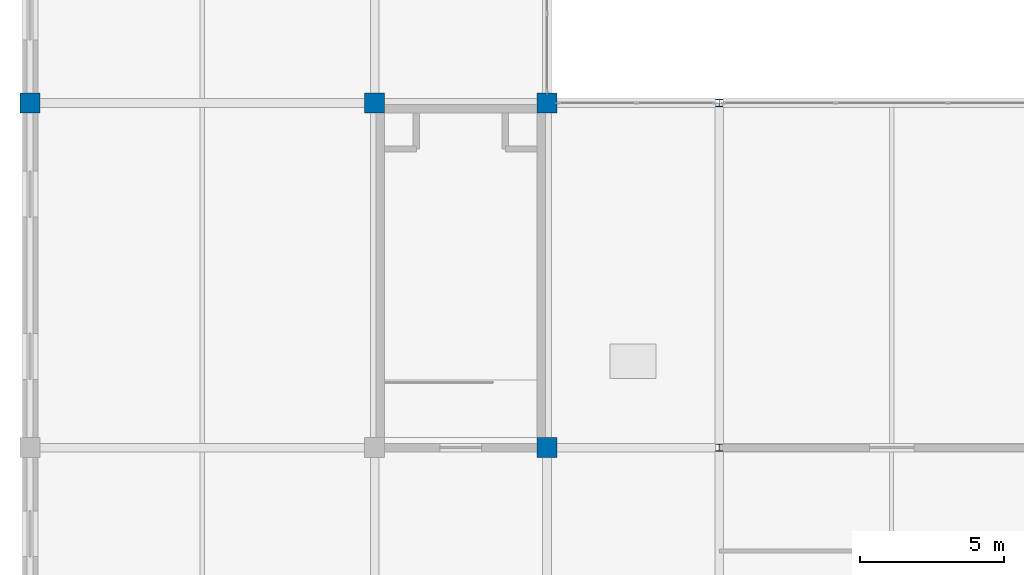
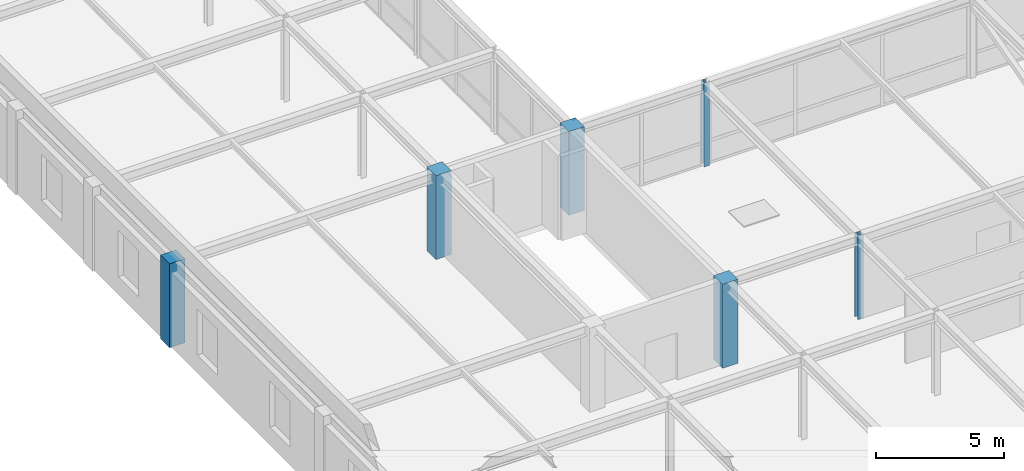
# One storey, part 2 of 111: 6 columns.
"""IFC4 building model written with IfcOpenShell, lengths in metres."""

from ifc_helpers import new_model, si_unit, direction, frame, origin, origin_2d, place, context, subcontext, project, spatial, rectangle, i_section, extrude, material, material_profile, profile_set, type_object, element, save


model = new_model("IFC4")

# Units and contexts
model_context = context("Model", 3, precision=1e-05, world=origin(), true_north=direction((0.0, 1.0)))
body_context = subcontext(model_context, "Body", "Model", "MODEL_VIEW")
ifc_project = project(units=[si_unit("LENGTHUNIT", "METRE"), si_unit("AREAUNIT", "SQUARE_METRE"), si_unit("VOLUMEUNIT", "CUBIC_METRE"), si_unit("PLANEANGLEUNIT", "RADIAN"), si_unit("MASSUNIT", "GRAM", prefix="KILO")], contexts=[model_context])

# Site, building, storey
site_placement = place(None, origin())
site = spatial("IfcSite", under=ifc_project, at=site_placement, CompositionType="ELEMENT")
building_placement = place(site_placement, origin())
building = spatial("IfcBuilding", under=site, at=building_placement, Name="Zlatovratsky Civic Hall", CompositionType="ELEMENT")
storey_placement = place(building_placement, frame((0.0, 0.0, 16.5)))
storey = spatial("IfcBuildingStorey", under=building, at=storey_placement, Name="L04", CompositionType="ELEMENT", Elevation=16.5)

# Columns
ifc_material_1 = material(Name="Concrete C35/45 (B40)", Category="concrete")
ifc_material_profile_1 = material_profile(ifc_material_1, rectangle(XDim=0.699951171875, YDim=0.699951171875, at=origin_2d()), Name="RC 700x700")
ifc_profile_set_1 = profile_set([ifc_material_profile_1], Name="Concrete C35/45 (B40)")
column_type_1 = type_object("IfcColumnType", Name="Col_CorePier_RC700", PredefinedType="COLUMN", material=ifc_profile_set_1)
for number, where, z_axis, x_axis, name in (
    (1, (18.0, 18.0, 0.0), (0.0, 0.0, 1.0), (1.0, 0.0, 0.0), "CL-1590"),
    (2, (0.0, 30.0, 0.0), (0.0, 0.0, 1.0), (1.0, 0.0, 0.0), "CL-1611"),
    (3, (12.0, 30.0, 0.0), (0.0, 0.0, 1.0), (1.0, 0.0, 0.0), "CL-1612"),
    (4, (18.0, 30.0, 0.0), (0.0, 0.0, 1.0), (1.0, 0.0, 0.0), "CL-1613"),
):
    element("IfcColumn", number, at=place(storey_placement, frame(where, z_axis=z_axis, x_axis=x_axis)), inside=storey, type_object=column_type_1, Name=name, PredefinedType="COLUMN", context=body_context, shape_type="SweptSolid", body=[
        extrude(rectangle(XDim=0.699951171875, YDim=0.699951171875, at=origin_2d()), origin(), (0.0, 0.0, 1.0), 4.0),
    ])
ifc_material_2 = material(Name="Steel S355", Category="steel")
ifc_material_profile_2 = material_profile(ifc_material_2, i_section(OverallWidth=0.25, OverallDepth=0.25, WebThickness=0.009033203125, FlangeThickness=0.013916015625, FilletRadius=0.01611328125, at=origin_2d()), Name="25K2")
ifc_profile_set_2 = profile_set([ifc_material_profile_2], Name="Steel S355")
column_type_2 = type_object("IfcColumnType", Name="Col_Steel_25K2", PredefinedType="COLUMN", material=ifc_profile_set_2)
for number, where, z_axis, x_axis, name in (
    (5, (24.0, 18.0, 0.0), (0.0, 0.0, 1.0), (1.0, 0.0, 0.0), "CL-1591"),
    (6, (24.0, 30.0, 0.0), (0.0, 0.0, 1.0), (1.0, 0.0, 0.0), "CL-1614"),
):
    element("IfcColumn", number, at=place(storey_placement, frame(where, z_axis=z_axis, x_axis=x_axis)), inside=storey, type_object=column_type_2, Name=name, PredefinedType="COLUMN", context=body_context, shape_type="SweptSolid", body=[
        extrude(i_section(OverallWidth=0.25, OverallDepth=0.25, WebThickness=0.009033203125, FlangeThickness=0.013916015625, FilletRadius=0.01611328125, at=origin_2d()), origin(), (0.0, 0.0, 1.0), 4.0),
    ])

save(model, "model.ifc")
